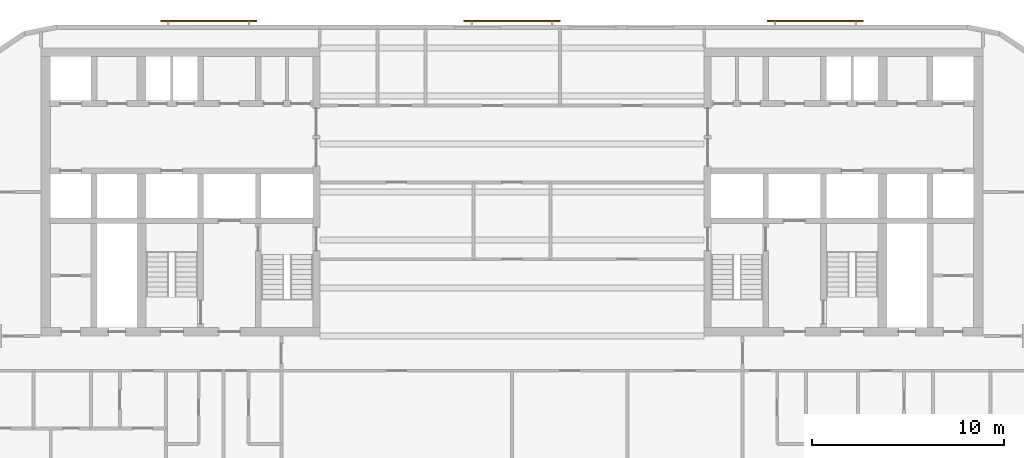
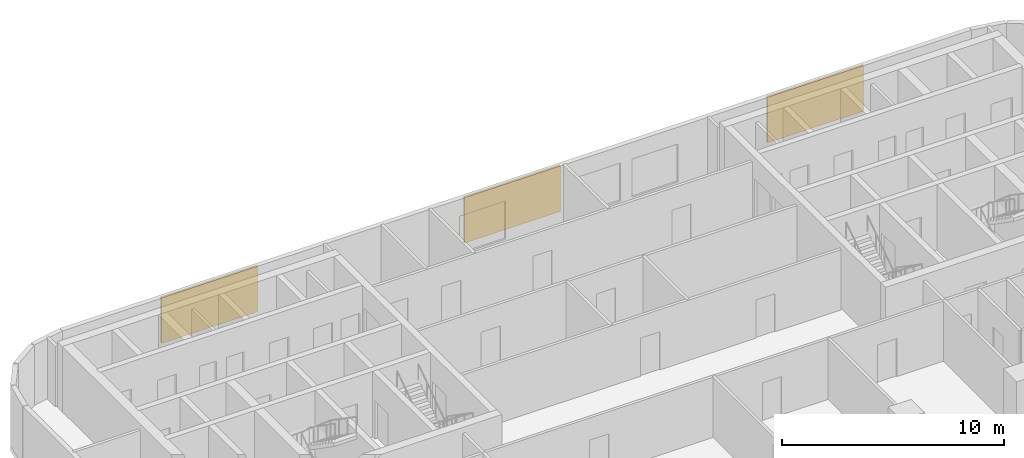
# One storey, part 10 of 11: 3 shading devices.
"""IFC4 building model written with IfcOpenShell, lengths in metres."""

from ifc_helpers import new_model, si_unit, direction, frame, origin, origin_2d, place, context, subcontext, project, spatial, rectangle, extrude, material, layer, layer_set, type_object, element, save


model = new_model("IFC4")

# Units and contexts
model_context = context("Model", 3, precision=1e-05, world=origin(), true_north=direction((0.0, 1.0)))
body_context = subcontext(model_context, "Body", "Model", "MODEL_VIEW")
ifc_project = project(units=[si_unit("LENGTHUNIT", "METRE"), si_unit("AREAUNIT", "SQUARE_METRE"), si_unit("VOLUMEUNIT", "CUBIC_METRE"), si_unit("PLANEANGLEUNIT", "RADIAN"), si_unit("MASSUNIT", "GRAM", prefix="KILO")], contexts=[model_context])

# Site, building, storey
site_placement = place(None, origin())
site = spatial("IfcSite", under=ifc_project, at=site_placement, CompositionType="ELEMENT")
building_placement = place(site_placement, origin())
building = spatial("IfcBuilding", under=site, at=building_placement, Name="Torana Hotel and Residences", CompositionType="ELEMENT")
storey_placement = place(building_placement, frame((0.0, 0.0, 116.39990234375)))
storey = spatial("IfcBuildingStorey", under=building, at=storey_placement, Name="L29", CompositionType="ELEMENT", Elevation=116.39990234375)

# Shading devices
ifc_material = material(Name="Concrete C40/50 precast", Category="concrete")
ifc_layer = layer(ifc_material, 0.10009765625)
ifc_layer_set = layer_set([ifc_layer], Name="SC1 PERFORATED BLOCK SCREEN PANEL 100")
shading_device_type = type_object("IfcShadingDeviceType", Name="SC1 PERFORATED BLOCK SCREEN PANEL 100", PredefinedType="USERDEFINED", material=ifc_layer_set)
for number, where, z_axis, x_axis, name in (
    (1, (15.78369140625, 1.39990234375, 0.5), (0.0, 0.0, 1.0), (-1.0, 0.0, 0.0), "Perforated block screen L29"),
    (2, (0.0, 1.39990234375, 0.5), (0.0, 0.0, 1.0), (-1.0, 0.0, 0.0), "Perforated block screen L29"),
    (3, (-15.78369140625, 1.39990234375, 0.5), (0.0, 0.0, 1.0), (-1.0, 0.0, 0.0), "Perforated block screen L29"),
):
    element("IfcShadingDevice", number, at=place(storey_placement, frame(where, z_axis=z_axis, x_axis=x_axis)), inside=storey, type_object=shading_device_type, Name=name, ObjectType="SCREEN", PredefinedType="USERDEFINED", context=body_context, shape_type="SweptSolid", body=[
        extrude(rectangle(XDim=5.0, YDim=0.10009765625, at=origin_2d()), origin(), (0.0, 0.0, 1.0), 2.52001953125),
    ])

save(model, "model.ifc")
